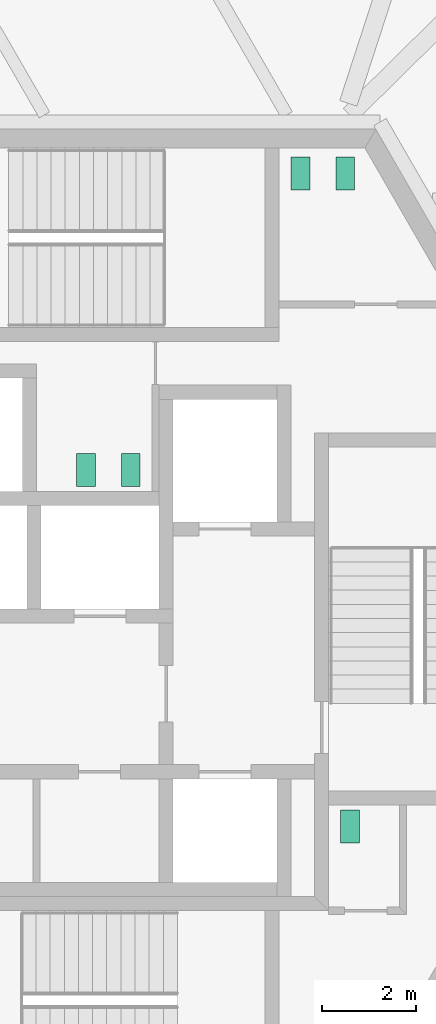
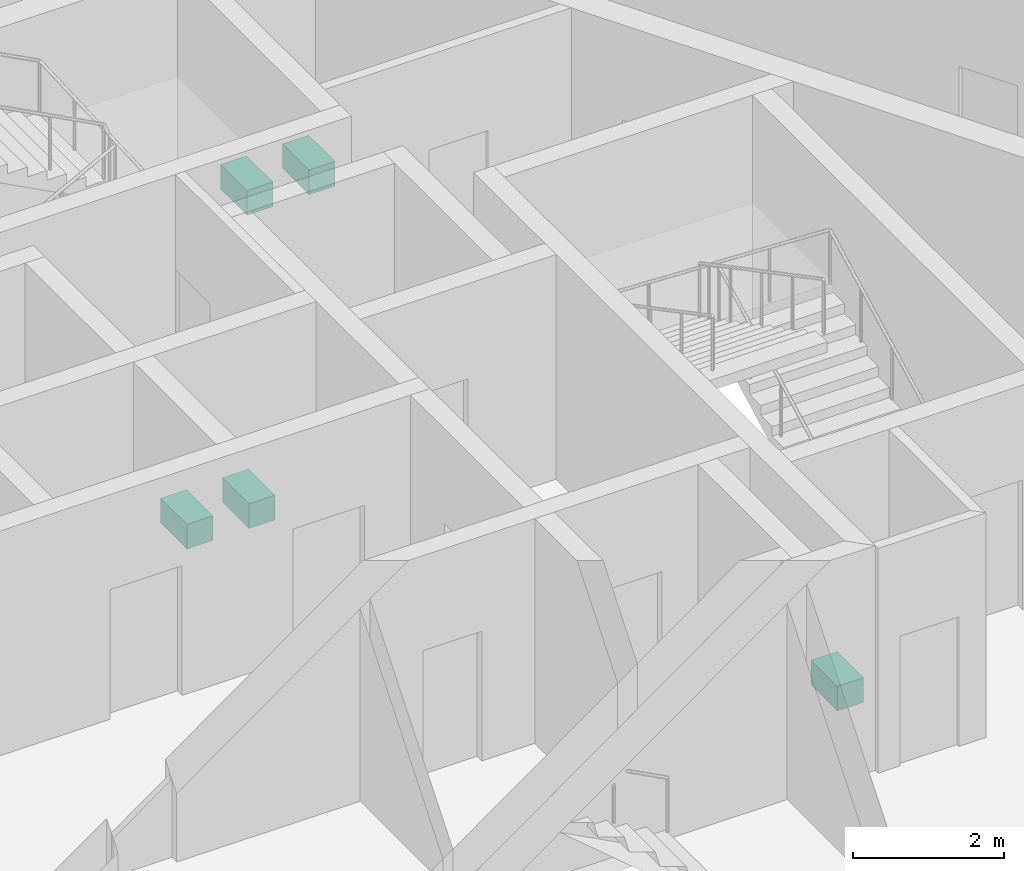
# One storey, part 23 of 23: 5 sanitary terminals.
"""IFC4 building model written with IfcOpenShell, lengths in metres."""

from ifc_helpers import new_model, si_unit, direction, frame, origin, origin_2d, place, context, subcontext, project, spatial, rectangle, extrude, source, transform, mapped, material, element, save


model = new_model("IFC4")

# Units and contexts
model_context = context("Model", 3, precision=1e-05, world=origin(), true_north=direction((0.0, 1.0)))
body_context = subcontext(model_context, "Body", "Model", "MODEL_VIEW")
ifc_project = project(units=[si_unit("LENGTHUNIT", "METRE"), si_unit("AREAUNIT", "SQUARE_METRE"), si_unit("VOLUMEUNIT", "CUBIC_METRE"), si_unit("PLANEANGLEUNIT", "RADIAN"), si_unit("MASSUNIT", "GRAM", prefix="KILO")], contexts=[model_context])

# Site, building, storey
site_placement = place(None, origin())
site = spatial("IfcSite", under=ifc_project, at=site_placement, CompositionType="ELEMENT")
building_placement = place(site_placement, origin())
building = spatial("IfcBuilding", under=site, at=building_placement, Name="Triune Harvest Tower", CompositionType="ELEMENT")
storey_placement = place(building_placement, frame((0.0, 0.0, 54.699951171875)))
storey = spatial("IfcBuildingStorey", under=building, at=storey_placement, Name="L12", CompositionType="ELEMENT", Elevation=54.699951171875)

# Sanitary terminals
ifc_material = material(Name="Vitreous china")
shared_shape = source(origin(), body_context, "Body", "SweptSolid", [
    extrude(rectangle(XDim=0.39990234375, YDim=0.699951171875, at=origin_2d()), origin(), (0.0, 0.0, 1.0), 0.39990234375),
])
for number, where, z_axis, x_axis, name in (
    (1, (4.39990234375, 9.449951171875, 0.0), (0.0, 0.0, 1.0), (1.0, 0.0, 0.0), "Toilet pan L12.c01"),
    (2, (5.35009765625, 9.449951171875, 0.0), (0.0, 0.0, 1.0), (1.0, 0.0, 0.0), "Toilet pan L12.c02"),
    (3, (0.800048828125, 3.159912109375, 0.0), (0.0, 0.0, 1.0), (-1.0, 0.0, 0.0), "Toilet pan L12.c03"),
    (4, (-0.14990234375, 3.159912109375, 0.0), (0.0, 0.0, 1.0), (-1.0, 0.0, 0.0), "Toilet pan L12.c04"),
    (5, (5.449951171875, -4.39990234375, 0.0), (0.0, 0.0, 1.0), (1.0, 0.0, 0.0), "Toilet pan L12.c05"),
):
    element("IfcSanitaryTerminal", number, at=place(storey_placement, frame(where, z_axis=z_axis, x_axis=x_axis)), inside=storey, material=ifc_material, Name=name, PredefinedType="TOILETPAN", context=body_context, shape_type="MappedRepresentation", body=[
        mapped(shared_shape, transform((0.0, 0.0, 0.0), scale=1.0)),
    ])

save(model, "model.ifc")
